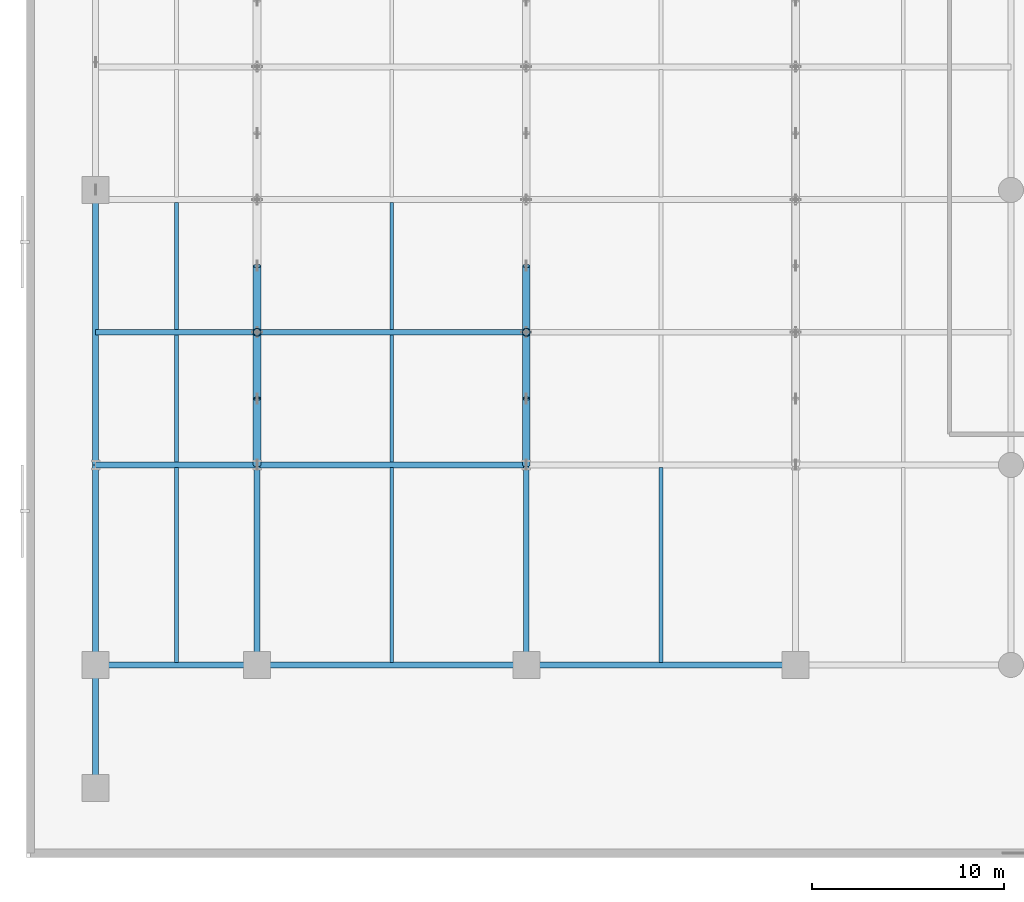
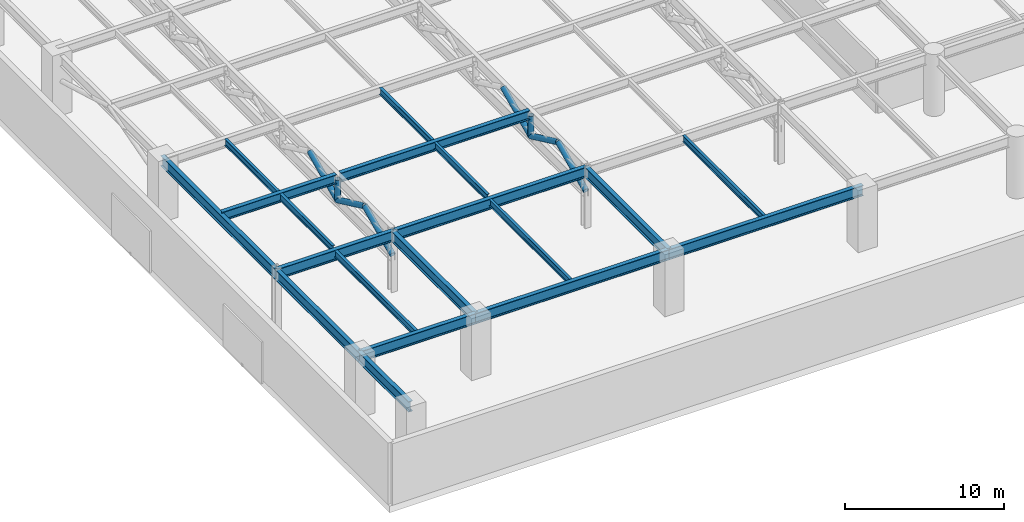
# One storey, part 5 of 40: 19 beams, 8 members.
"""IFC4 building model written with IfcOpenShell, lengths in metres."""

import ifcopenshell
import ifcopenshell.guid

model = None  # the IFC model being written
_history = None  # IfcOwnerHistory: only IFC2X3 demands one
_inside = {}  # id of a spatial element -> (the spatial element, [elements in it])
_under = {}  # id of a project, library or spatial element -> (it, [spatial elements below it])
_declared = {}  # id of a project -> (the project, [libraries it declares])
_typed = {}  # id of a type object -> (the type object, [elements of that type])
_made_of = {}  # id of a material, layer set ... -> (it, [elements and type objects made of it])


def new_model(schema):
    """Start an empty IFC model of exactly this schema.

    Asked for "IFC4X3", IfcOpenShell would pick the latest addendum, in which some entities
    have other attributes; the version numbers below select the first issue.
    IFC2X3 requires an IfcOwnerHistory on every rooted entity: one is made here for all.
    """
    global model, _history
    if schema == "IFC4X3":
        model = ifcopenshell.file(schema_version=(4, 3, 0, 0))
    else:
        model = ifcopenshell.file(schema=schema)
    _inside.clear()
    _under.clear()
    _declared.clear()
    _typed.clear()
    _made_of.clear()
    _history = None
    if model.schema == "IFC2X3":
        org = make("IfcOrganization", Name="unknown")
        user = make(
            "IfcPersonAndOrganization",
            ThePerson=make("IfcPerson", FamilyName="unknown"),
            TheOrganization=org,
        )
        app = make(
            "IfcApplication",
            ApplicationDeveloper=org,
            Version="unknown",
            ApplicationFullName="unknown",
            ApplicationIdentifier="unknown",
        )
        _history = make(
            "IfcOwnerHistory",
            OwningUser=user,
            OwningApplication=app,
            ChangeAction="ADDED",
            CreationDate=0,
        )
    return model


def make(cls, **values):
    """One entity of the class cls with the attributes given. An attribute that is None is left unset."""
    return model.create_entity(
        cls, **{name: value for name, value in values.items() if value is not None}
    )


def rooted(cls, **values):
    """An entity with a GlobalId (a new one), such as an element, a storey or a relation."""
    return make(cls, GlobalId=ifcopenshell.guid.new(), OwnerHistory=_history, **values)


def si_unit(unit_type, name, prefix=None):
    """IfcSIUnit, for example si_unit("LENGTHUNIT", "METRE", prefix="MILLI")."""
    return make("IfcSIUnit", UnitType=unit_type, Prefix=prefix, Name=name)


def assignment(units):
    """IfcUnitAssignment: the units of a project."""
    return None if units is None else make("IfcUnitAssignment", Units=units)


def point(xyz):
    """IfcCartesianPoint."""
    return None if xyz is None else make("IfcCartesianPoint", Coordinates=xyz)


def direction(xyz):
    """IfcDirection."""
    return None if xyz is None else make("IfcDirection", DirectionRatios=xyz)


def frame(location, z_axis=None, x_axis=None):
    """IfcAxis2Placement3D, a coordinate frame: its origin and axes. An axis left out is left unset."""
    return make(
        "IfcAxis2Placement3D",
        Location=point(location),
        Axis=direction(z_axis),
        RefDirection=direction(x_axis),
    )


def frame_2d(location, x_axis=None):
    """IfcAxis2Placement2D, a coordinate frame in the plane: its origin and x axis."""
    return make(
        "IfcAxis2Placement2D", Location=point(location), RefDirection=direction(x_axis)
    )


def origin():
    """The frame at (0, 0, 0) with its axes left unset."""
    return frame((0.0, 0.0, 0.0))


def origin_2d():
    """The frame at (0, 0) in the plane with its x axis left unset."""
    return frame_2d((0.0, 0.0))


def place(relative_to, where):
    """IfcLocalPlacement: puts the frame where relative to a parent placement (None: the world)."""
    return make(
        "IfcLocalPlacement", PlacementRelTo=relative_to, RelativePlacement=where
    )


def context(
    kind, dimensions, precision=None, world=None, true_north=None, identifier=None
):
    """IfcGeometricRepresentationContext, for example the 3D "Model" context."""
    return make(
        "IfcGeometricRepresentationContext",
        ContextIdentifier=identifier,
        ContextType=kind,
        CoordinateSpaceDimension=dimensions,
        Precision=precision,
        WorldCoordinateSystem=world,
        TrueNorth=true_north,
    )


def subcontext(parent, identifier, kind, view, scale=None):
    """IfcGeometricRepresentationSubContext, for example "Body" below "Model"."""
    return make(
        "IfcGeometricRepresentationSubContext",
        ContextIdentifier=identifier,
        ContextType=kind,
        ParentContext=parent,
        TargetScale=scale,
        TargetView=view,
    )


def project(units=None, contexts=None):
    """IfcProject with its units and contexts."""
    return rooted(
        "IfcProject",
        Name="project",
        RepresentationContexts=contexts,
        UnitsInContext=assignment(units),
    )


def spatial(cls, under=None, at=None, **own):
    """A site, building, storey or space (cls), placed at a placement, below another one or the project."""
    s = rooted(cls, ObjectPlacement=at, **own)
    if under is not None:
        _under.setdefault(under.id(), (under, []))[1].append(s)
    return s


def profile(cls, at=None, kind="AREA", **sizes):
    """A parametric profile (cls). Its sizes go by their IFC names, for example OverallWidth=200.0."""
    return make(cls, ProfileType=kind, Position=at, **sizes)


def hollow_circle(**sizes):
    """IfcCircleHollowProfileDef."""
    return profile("IfcCircleHollowProfileDef", **sizes)


def i_section(**sizes):
    """IfcIShapeProfileDef."""
    return profile("IfcIShapeProfileDef", **sizes)


def extrude(swept, where, along, depth):
    """IfcExtrudedAreaSolid: the profile swept, set in the frame where, extruded along a direction by depth."""
    return make(
        "IfcExtrudedAreaSolid",
        SweptArea=swept,
        Position=where,
        ExtrudedDirection=direction(along),
        Depth=depth,
    )


def shape(context_of_items, identifier, shape_type, items):
    """IfcShapeRepresentation: the items that make up one representation, for example the "Body"."""
    return make(
        "IfcShapeRepresentation",
        ContextOfItems=context_of_items,
        RepresentationIdentifier=identifier,
        RepresentationType=shape_type,
        Items=items,
    )


def material(Name=None, Category=None):
    """IfcMaterial."""
    return make("IfcMaterial", Name=Name, Category=Category)


def material_profile(
    of_material, cross_section, Name=None, Category=None, Priority=None
):
    """IfcMaterialProfile: a cross section and its material."""
    return make(
        "IfcMaterialProfile",
        Name=Name,
        Material=of_material,
        Profile=cross_section,
        Priority=Priority,
        Category=Category,
    )


def profile_set(profiles, Name=None, composite=None):
    """IfcMaterialProfileSet."""
    return make(
        "IfcMaterialProfileSet",
        Name=Name,
        MaterialProfiles=profiles,
        CompositeProfile=composite,
    )


def made_of(thing, what):
    """Note that an element or type object is made of a material, layer set ...; save() writes the relation."""
    if what is not None:
        _made_of.setdefault(what.id(), (what, []))[1].append(thing)
    return thing


def type_object(cls, material=None, **own):
    """A type object (cls), such as IfcWallType, which elements share."""
    return made_of(rooted(cls, **own), material)


def element(
    cls,
    number,
    at=None,
    inside=None,
    cuts=None,
    type_object=None,
    material=None,
    context=None,
    identifier="Body",
    shape_type=None,
    held_by="IfcProductDefinitionShape",
    body=None,
    shapes=None,
    **own,
):
    """One element of the class cls, such as IfcWall. Its Tag is "e" and its number.

    at: its placement. inside: the storey or other place that contains it. cuts: it is an
    opening in that element (IfcRelVoidsElement). A single representation is given by context,
    identifier, shape_type and body (its items); several are given by shapes. held_by: the class
    of the entity that holds the representations. save() writes the other relations.
    """
    e = rooted(cls, Tag="e%d" % number, ObjectPlacement=at, **own)
    if body is not None:
        shapes = [shape(context, identifier, shape_type, body)]
    if shapes is not None:
        e.Representation = make(held_by, Representations=shapes)
    if inside is not None:
        _inside.setdefault(inside.id(), (inside, []))[1].append(e)
    if cuts is not None:
        rooted(
            "IfcRelVoidsElement", RelatingBuildingElement=cuts, RelatedOpeningElement=e
        )
    if type_object is not None:
        _typed.setdefault(type_object.id(), (type_object, []))[1].append(e)
    return made_of(e, material)


def aggregate(whole, parts):
    """IfcRelAggregates: a whole, such as a stair, and the parts it consists of."""
    return rooted("IfcRelAggregates", RelatingObject=whole, RelatedObjects=parts)


def save(model, path):
    """Write the relations noted so far, then the file.

    IfcRelAggregates (storeys below a building ...), IfcRelContainedInSpatialStructure (elements
    in a storey), IfcRelDefinesByType, IfcRelAssociatesMaterial and IfcRelDeclares: one each for
    every whole, place, type object, material and project.
    """
    for whole, parts in _under.values():
        aggregate(whole, parts)
    for where, things in _inside.values():
        rooted(
            "IfcRelContainedInSpatialStructure",
            RelatedElements=things,
            RelatingStructure=where,
        )
    for kind, things in _typed.values():
        rooted("IfcRelDefinesByType", RelatedObjects=things, RelatingType=kind)
    for what, things in _made_of.values():
        rooted("IfcRelAssociatesMaterial", RelatedObjects=things, RelatingMaterial=what)
    for by, libraries in _declared.values():
        rooted("IfcRelDeclares", RelatingContext=by, RelatedDefinitions=libraries)
    model.write(path)


model = new_model("IFC4")

# Units and contexts
model_context = context("Model", 3, precision=1e-05, world=origin(), true_north=direction((0.0, 1.0)))
body_context = subcontext(model_context, "Body", "Model", "MODEL_VIEW")
ifc_project = project(units=[si_unit("LENGTHUNIT", "METRE"), si_unit("AREAUNIT", "SQUARE_METRE"), si_unit("VOLUMEUNIT", "CUBIC_METRE"), si_unit("PLANEANGLEUNIT", "RADIAN"), si_unit("MASSUNIT", "GRAM", prefix="KILO")], contexts=[model_context])

# Site, building, storey
site_placement = place(None, origin())
site = spatial("IfcSite", under=ifc_project, at=site_placement, CompositionType="ELEMENT")
building_placement = place(site_placement, origin())
building = spatial("IfcBuilding", under=site, at=building_placement, Name="Narakoshi Arena Tower", CompositionType="ELEMENT")
storey_placement = place(building_placement, frame((0.0, 0.0, 21.60009765625)))
storey = spatial("IfcBuildingStorey", under=building, at=storey_placement, Name="L05", CompositionType="ELEMENT", Elevation=21.60009765625)

# Beams
ifc_material_1 = material(Name="Structural steel S355J2", Category="steel")
ifc_material_profile_1 = material_profile(ifc_material_1, i_section(OverallWidth=0.300048828125, OverallDepth=0.699951171875, WebThickness=0.01708984375, FlangeThickness=0.031982421875, FilletRadius=0.027099609375, at=origin_2d()), Name="HE700B")
ifc_profile_set_1 = profile_set([ifc_material_profile_1], Name="Structural steel S355J2")
beam_type_1 = type_object("IfcBeamType", Name="BM-PRI-700", PredefinedType="BEAM", material=ifc_profile_set_1)
beam_1_placement = place(storey_placement, frame((3.60009765625, 27.300048828125, 4.429931640625), z_axis=(1.0, 0.0, 0.0), x_axis=(0.0, 1.0, 0.0)))
element("IfcBeam", 1, at=beam_1_placement, inside=storey, type_object=beam_type_1, Name="L05 Arena Roof Transverse Girder 1-3", PredefinedType="BEAM", context=body_context, shape_type="SweptSolid", body=[
    extrude(i_section(OverallWidth=0.300048828125, OverallDepth=0.699951171875, WebThickness=0.01708984375, FlangeThickness=0.031982421875, FilletRadius=0.027099609375, at=origin_2d()), origin(), (0.0, 0.0, 1.0), 8.2548828125),
])
beam_2_placement = place(storey_placement, frame((12.14501953125, 27.300048828125, 4.429931640625), z_axis=(1.0, 0.0, 0.0), x_axis=(0.0, 1.0, 0.0)))
element("IfcBeam", 2, at=beam_2_placement, inside=storey, type_object=beam_type_1, Name="L05 Arena Roof Transverse Girder 1-12", PredefinedType="BEAM", context=body_context, shape_type="SweptSolid", body=[
    extrude(i_section(OverallWidth=0.300048828125, OverallDepth=0.699951171875, WebThickness=0.01708984375, FlangeThickness=0.031982421875, FilletRadius=0.027099609375, at=origin_2d()), origin(), (0.0, 0.0, 1.0), 13.7099609375),
])
ifc_material_2 = material(Name="Structural steel S460ML", Category="steel")
ifc_material_profile_2 = material_profile(ifc_material_2, i_section(OverallWidth=0.300048828125, OverallDepth=0.800048828125, WebThickness=0.017578125, FlangeThickness=0.032958984375, FilletRadius=0.030029296875, at=origin_2d()), Name="HE800B")
ifc_profile_set_2 = profile_set([ifc_material_profile_2], Name="Structural steel S460ML")
beam_type_2 = type_object("IfcBeamType", Name="BM-PRI-800", PredefinedType="BEAM", material=ifc_profile_set_2)
beam_3_placement = place(storey_placement, frame((3.60009765625, 10.0, 4.199951171875), z_axis=(1.0, 0.0, 0.0), x_axis=(0.0, 1.0, 0.0)))
element("IfcBeam", 3, at=beam_3_placement, inside=storey, type_object=beam_type_2, Name="L05 Podium Primary X-Girder 005", PredefinedType="BEAM", context=body_context, shape_type="SweptSolid", body=[
    extrude(i_section(OverallWidth=0.300048828125, OverallDepth=0.800048828125, WebThickness=0.017578125, FlangeThickness=0.032958984375, FilletRadius=0.030029296875, at=origin_2d()), origin(), (0.0, 0.0, 1.0), 8.39990234375),
])
for number, where, z_axis, x_axis, name in (
    (4, (12.0, 10.0, 4.199951171875), (1.0, 0.0, 0.0), (0.0, 1.0, 0.0), "L05 Podium Primary X-Girder 006"),
    (5, (26.0, 10.0, 4.199951171875), (1.0, 0.0, 0.0), (0.0, 1.0, 0.0), "L05 Podium Primary X-Girder 007"),
):
    element("IfcBeam", number, at=place(storey_placement, frame(where, z_axis=z_axis, x_axis=x_axis)), inside=storey, type_object=beam_type_2, Name=name, PredefinedType="BEAM", context=body_context, shape_type="SweptSolid", body=[
        extrude(i_section(OverallWidth=0.300048828125, OverallDepth=0.800048828125, WebThickness=0.017578125, FlangeThickness=0.032958984375, FilletRadius=0.030029296875, at=origin_2d()), origin(), (0.0, 0.0, 1.0), 14.0),
    ])
beam_4_placement = place(storey_placement, frame((3.60009765625, 20.39990234375, 4.199951171875), z_axis=(1.0, 0.0, 0.0), x_axis=(0.0, 1.0, 0.0)))
element("IfcBeam", 6, at=beam_4_placement, inside=storey, type_object=beam_type_2, Name="L05 Podium Primary X-Girder 014", PredefinedType="BEAM", context=body_context, shape_type="SweptSolid", body=[
    extrude(i_section(OverallWidth=0.300048828125, OverallDepth=0.800048828125, WebThickness=0.017578125, FlangeThickness=0.032958984375, FilletRadius=0.030029296875, at=origin_2d()), origin(), (0.0, 0.0, 1.0), 8.39990234375),
])
beam_5_placement = place(storey_placement, frame((12.0, 20.39990234375, 4.199951171875), z_axis=(1.0, 0.0, 0.0), x_axis=(0.0, 1.0, 0.0)))
element("IfcBeam", 7, at=beam_5_placement, inside=storey, type_object=beam_type_2, Name="L05 Podium Primary X-Girder 015", PredefinedType="BEAM", context=body_context, shape_type="SweptSolid", body=[
    extrude(i_section(OverallWidth=0.300048828125, OverallDepth=0.800048828125, WebThickness=0.017578125, FlangeThickness=0.032958984375, FilletRadius=0.030029296875, at=origin_2d()), origin(), (0.0, 0.0, 1.0), 14.0),
])
beam_6_placement = place(storey_placement, frame((3.60009765625, 3.60009765625, 4.199951171875), z_axis=(0.0, 1.0, 0.0), x_axis=(-1.0, 0.0, 0.0)))
element("IfcBeam", 8, at=beam_6_placement, inside=storey, type_object=beam_type_2, Name="L05 Podium Primary Y-Girder 066", PredefinedType="BEAM", context=body_context, shape_type="SweptSolid", body=[
    extrude(i_section(OverallWidth=0.300048828125, OverallDepth=0.800048828125, WebThickness=0.017578125, FlangeThickness=0.032958984375, FilletRadius=0.030029296875, at=origin_2d()), origin(), (0.0, 0.0, 1.0), 6.39990234375),
])
beam_7_placement = place(storey_placement, frame((3.60009765625, 10.0, 4.199951171875), z_axis=(0.0, 1.0, 0.0), x_axis=(-1.0, 0.0, 0.0)))
element("IfcBeam", 9, at=beam_7_placement, inside=storey, type_object=beam_type_2, Name="L05 Podium Primary Y-Girder 067", PredefinedType="BEAM", context=body_context, shape_type="SweptSolid", body=[
    extrude(i_section(OverallWidth=0.300048828125, OverallDepth=0.800048828125, WebThickness=0.017578125, FlangeThickness=0.032958984375, FilletRadius=0.030029296875, at=origin_2d()), origin(), (0.0, 0.0, 1.0), 10.39990234375),
])
beam_8_placement = place(storey_placement, frame((3.60009765625, 20.39990234375, 4.199951171875), z_axis=(0.0, 1.0, 0.0), x_axis=(-1.0, 0.0, 0.0)))
element("IfcBeam", 10, at=beam_8_placement, inside=storey, type_object=beam_type_2, Name="L05 Podium Primary Y-Girder 068", PredefinedType="BEAM", context=body_context, shape_type="SweptSolid", body=[
    extrude(i_section(OverallWidth=0.300048828125, OverallDepth=0.800048828125, WebThickness=0.017578125, FlangeThickness=0.032958984375, FilletRadius=0.030029296875, at=origin_2d()), origin(), (0.0, 0.0, 1.0), 14.300048828125),
])
for number, where, z_axis, x_axis, name in (
    (11, (12.0, 10.0, 4.199951171875), (0.0, 1.0, 0.0), (-1.0, 0.0, 0.0), "L05 Podium Primary Y-Girder 074"),
    (12, (26.0, 10.0, 4.199951171875), (0.0, 1.0, 0.0), (-1.0, 0.0, 0.0), "L05 Podium Primary Y-Girder 076"),
):
    element("IfcBeam", number, at=place(storey_placement, frame(where, z_axis=z_axis, x_axis=x_axis)), inside=storey, type_object=beam_type_2, Name=name, PredefinedType="BEAM", context=body_context, shape_type="SweptSolid", body=[
        extrude(i_section(OverallWidth=0.300048828125, OverallDepth=0.800048828125, WebThickness=0.017578125, FlangeThickness=0.032958984375, FilletRadius=0.030029296875, at=origin_2d()), origin(), (0.0, 0.0, 1.0), 10.39990234375),
    ])
ifc_material_profile_3 = material_profile(ifc_material_1, i_section(OverallWidth=0.199951171875, OverallDepth=0.5, WebThickness=0.01025390625, FlangeThickness=0.01611328125, FilletRadius=0.02099609375, at=origin_2d()), Name="IPE500")
ifc_profile_set_3 = profile_set([ifc_material_profile_3], Name="Structural steel S355J2")
beam_type_3 = type_object("IfcBeamType", Name="BM-SEC-500", PredefinedType="JOIST", material=ifc_profile_set_3)
for number, where, z_axis, x_axis, name in (
    (13, (7.800048828125, 10.135009765625, 4.349853515625), (0.0, 1.0, 0.0), (-1.0, 0.0, 0.0), "L05 Podium Composite Floor Joist 001"),
    (14, (19.0, 10.135009765625, 4.349853515625), (0.0, 1.0, 0.0), (-1.0, 0.0, 0.0), "L05 Podium Composite Floor Joist 003"),
    (15, (33.0, 10.135009765625, 4.349853515625), (0.0, 1.0, 0.0), (-1.0, 0.0, 0.0), "L05 Podium Composite Floor Joist 005"),
):
    element("IfcBeam", number, at=place(storey_placement, frame(where, z_axis=z_axis, x_axis=x_axis)), inside=storey, type_object=beam_type_3, Name=name, PredefinedType="JOIST", context=body_context, shape_type="SweptSolid", body=[
        extrude(i_section(OverallWidth=0.199951171875, OverallDepth=0.5, WebThickness=0.01025390625, FlangeThickness=0.01611328125, FilletRadius=0.02099609375, at=origin_2d()), origin(), (0.0, 0.0, 1.0), 10.1298828125),
    ])
beam_9_placement = place(storey_placement, frame((7.800048828125, 20.544921875, 4.52978515625), z_axis=(0.0, 1.0, 0.0), x_axis=(-1.0, 0.0, 0.0)))
element("IfcBeam", 16, at=beam_9_placement, inside=storey, type_object=beam_type_3, Name="L05 Arena Roof Secondary Joist 3-1", PredefinedType="JOIST", context=body_context, shape_type="SweptSolid", body=[
    extrude(i_section(OverallWidth=0.199951171875, OverallDepth=0.5, WebThickness=0.01025390625, FlangeThickness=0.01611328125, FilletRadius=0.02099609375, at=origin_2d()), origin(), (0.0, 0.0, 1.0), 6.610107421875),
])
beam_10_placement = place(storey_placement, frame((7.800048828125, 27.445068359375, 4.52978515625), z_axis=(0.0, 1.0, 0.0), x_axis=(-1.0, 0.0, 0.0)))
element("IfcBeam", 17, at=beam_10_placement, inside=storey, type_object=beam_type_3, Name="L05 Arena Roof Secondary Joist 3-2", PredefinedType="JOIST", context=body_context, shape_type="SweptSolid", body=[
    extrude(i_section(OverallWidth=0.199951171875, OverallDepth=0.5, WebThickness=0.01025390625, FlangeThickness=0.01611328125, FilletRadius=0.02099609375, at=origin_2d()), origin(), (0.0, 0.0, 1.0), 6.60986328125),
])
beam_11_placement = place(storey_placement, frame((19.0, 20.544921875, 4.52978515625), z_axis=(0.0, 1.0, 0.0), x_axis=(-1.0, 0.0, 0.0)))
element("IfcBeam", 18, at=beam_11_placement, inside=storey, type_object=beam_type_3, Name="L05 Arena Roof Secondary Joist 12-1", PredefinedType="JOIST", context=body_context, shape_type="SweptSolid", body=[
    extrude(i_section(OverallWidth=0.199951171875, OverallDepth=0.5, WebThickness=0.01025390625, FlangeThickness=0.01611328125, FilletRadius=0.02099609375, at=origin_2d()), origin(), (0.0, 0.0, 1.0), 6.610107421875),
])
beam_12_placement = place(storey_placement, frame((19.0, 27.445068359375, 4.52978515625), z_axis=(0.0, 1.0, 0.0), x_axis=(-1.0, 0.0, 0.0)))
element("IfcBeam", 19, at=beam_12_placement, inside=storey, type_object=beam_type_3, Name="L05 Arena Roof Secondary Joist 12-2", PredefinedType="JOIST", context=body_context, shape_type="SweptSolid", body=[
    extrude(i_section(OverallWidth=0.199951171875, OverallDepth=0.5, WebThickness=0.01025390625, FlangeThickness=0.01611328125, FilletRadius=0.02099609375, at=origin_2d()), origin(), (0.0, 0.0, 1.0), 6.60986328125),
])

# Members
ifc_material_profile_4 = material_profile(ifc_material_2, hollow_circle(Radius=0.203125, WallThickness=0.01611328125, at=origin_2d()), Name="CHS406x16")
ifc_profile_set_4 = profile_set([ifc_material_profile_4], Name="Structural steel S460ML")
member_type = type_object("IfcMemberType", Name="MEM-ARN-406", PredefinedType="CHORD", material=ifc_profile_set_4)
member_1_placement = place(storey_placement, frame((12.0, 20.39990234375, 2.699951171875), z_axis=(0.0, 0.904679377383, 0.426092975931), x_axis=(-1.0, 0.0, 0.0)))
element("IfcMember", 20, at=member_1_placement, inside=storey, type_object=member_type, Name="L05 Arena Roof Truss 1 Web Diagonal 1A", PredefinedType="CHORD", context=body_context, shape_type="SweptSolid", body=[
    extrude(hollow_circle(Radius=0.203125, WallThickness=0.01611328125, at=origin_2d()), origin(), (0.0, 0.0, 1.0), 3.813720703125),
])
member_2_placement = place(storey_placement, frame((12.0, 23.85009765625, 4.324951171875), z_axis=(0.0, 0.904667753866, -0.426117654075), x_axis=(-1.0, 0.0, 0.0)))
element("IfcMember", 21, at=member_2_placement, inside=storey, type_object=member_type, Name="L05 Arena Roof Truss 1 Web Diagonal 1B", PredefinedType="CHORD", context=body_context, shape_type="SweptSolid", body=[
    extrude(hollow_circle(Radius=0.203125, WallThickness=0.01611328125, at=origin_2d()), origin(), (0.0, 0.0, 1.0), 3.8134765625),
])
member_3_placement = place(storey_placement, frame((12.0, 27.300048828125, 2.699951171875), z_axis=(0.0, 0.0, 1.0), x_axis=(1.0, 0.0, 0.0)))
element("IfcMember", 22, at=member_3_placement, inside=storey, type_object=member_type, Name="L05 Arena Roof Truss 1 Web Post 2", PredefinedType="CHORD", context=body_context, shape_type="SweptSolid", body=[
    extrude(hollow_circle(Radius=0.203125, WallThickness=0.01611328125, at=origin_2d()), origin(), (0.0, 0.0, 1.0), 1.625),
])
member_4_placement = place(storey_placement, frame((12.0, 27.300048828125, 2.699951171875), z_axis=(0.0, 0.904667753866, 0.426117654075), x_axis=(-1.0, 0.0, 0.0)))
element("IfcMember", 23, at=member_4_placement, inside=storey, type_object=member_type, Name="L05 Arena Roof Truss 1 Web Diagonal 2A", PredefinedType="CHORD", context=body_context, shape_type="SweptSolid", body=[
    extrude(hollow_circle(Radius=0.203125, WallThickness=0.01611328125, at=origin_2d()), origin(), (0.0, 0.0, 1.0), 3.8134765625),
])
member_5_placement = place(storey_placement, frame((26.0, 20.39990234375, 2.699951171875), z_axis=(0.0, 0.904679377383, 0.426092975931), x_axis=(-1.0, 0.0, 0.0)))
element("IfcMember", 24, at=member_5_placement, inside=storey, type_object=member_type, Name="L05 Arena Roof Truss 2 Web Diagonal 1A", PredefinedType="CHORD", context=body_context, shape_type="SweptSolid", body=[
    extrude(hollow_circle(Radius=0.203125, WallThickness=0.01611328125, at=origin_2d()), origin(), (0.0, 0.0, 1.0), 3.813720703125),
])
member_6_placement = place(storey_placement, frame((26.0, 23.85009765625, 4.324951171875), z_axis=(0.0, 0.904667753866, -0.426117654075), x_axis=(-1.0, 0.0, 0.0)))
element("IfcMember", 25, at=member_6_placement, inside=storey, type_object=member_type, Name="L05 Arena Roof Truss 2 Web Diagonal 1B", PredefinedType="CHORD", context=body_context, shape_type="SweptSolid", body=[
    extrude(hollow_circle(Radius=0.203125, WallThickness=0.01611328125, at=origin_2d()), origin(), (0.0, 0.0, 1.0), 3.8134765625),
])
member_7_placement = place(storey_placement, frame((26.0, 27.300048828125, 2.699951171875), z_axis=(0.0, 0.0, 1.0), x_axis=(1.0, 0.0, 0.0)))
element("IfcMember", 26, at=member_7_placement, inside=storey, type_object=member_type, Name="L05 Arena Roof Truss 2 Web Post 2", PredefinedType="CHORD", context=body_context, shape_type="SweptSolid", body=[
    extrude(hollow_circle(Radius=0.203125, WallThickness=0.01611328125, at=origin_2d()), origin(), (0.0, 0.0, 1.0), 1.625),
])
member_8_placement = place(storey_placement, frame((26.0, 27.300048828125, 2.699951171875), z_axis=(0.0, 0.904667753866, 0.426117654075), x_axis=(-1.0, 0.0, 0.0)))
element("IfcMember", 27, at=member_8_placement, inside=storey, type_object=member_type, Name="L05 Arena Roof Truss 2 Web Diagonal 2A", PredefinedType="CHORD", context=body_context, shape_type="SweptSolid", body=[
    extrude(hollow_circle(Radius=0.203125, WallThickness=0.01611328125, at=origin_2d()), origin(), (0.0, 0.0, 1.0), 3.8134765625),
])

save(model, "model.ifc")
